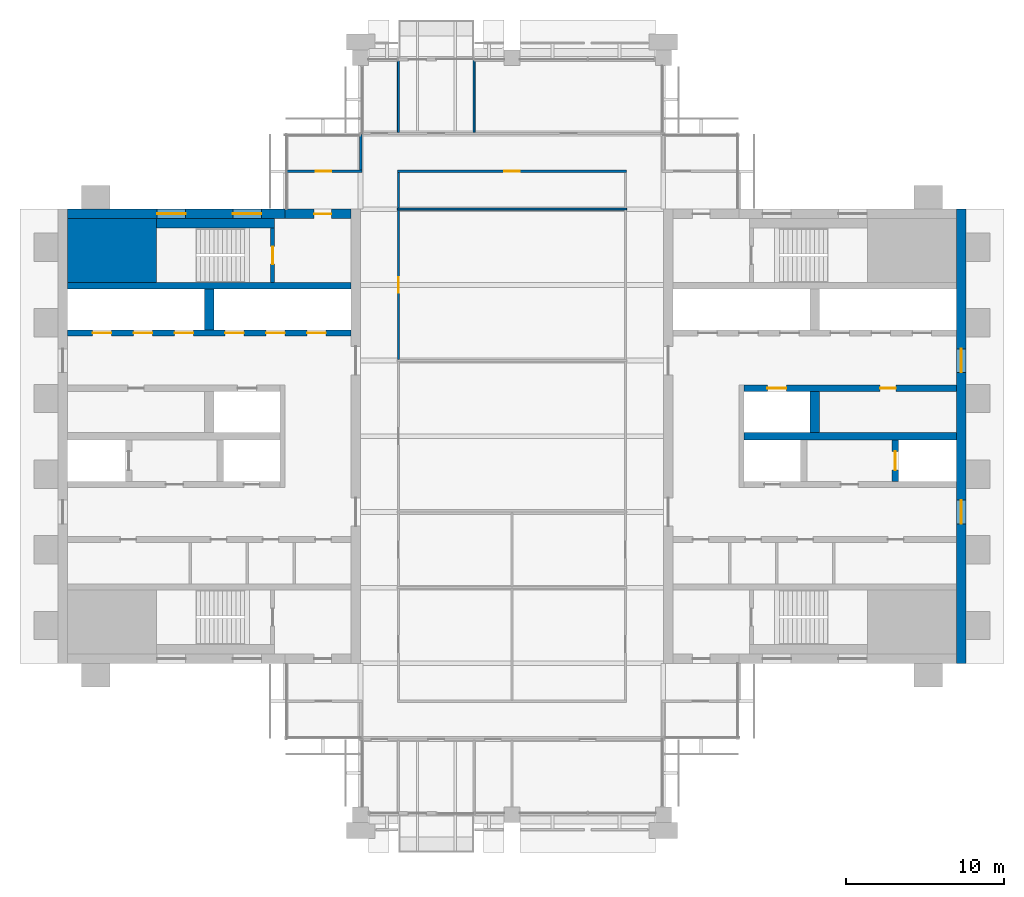
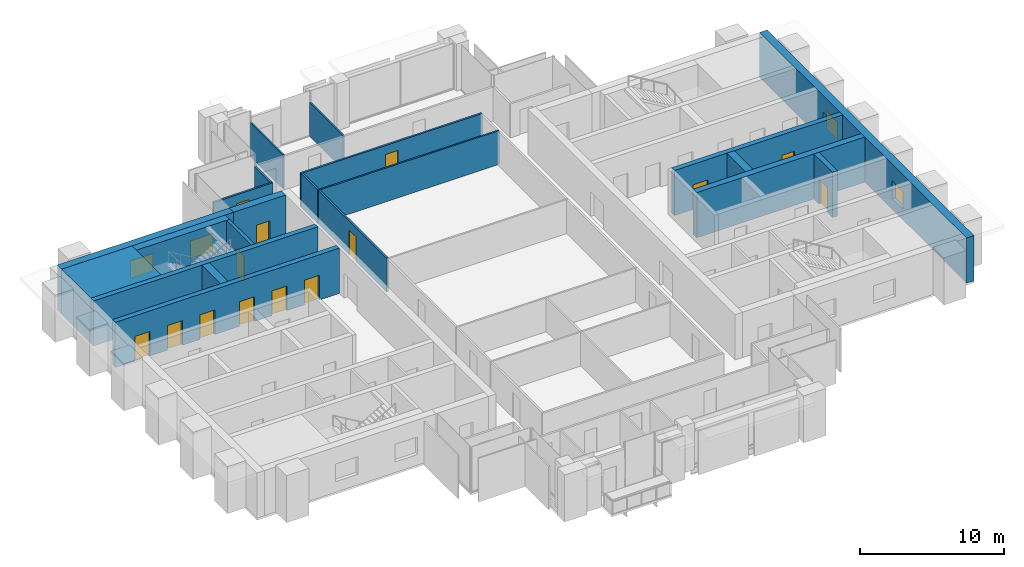
# One storey, part 10 of 13: 21 walls, 14 doors, 4 windows, 18 openings.
"""IFC4 building model written with IfcOpenShell, lengths in metres."""

from ifc_helpers import new_model, si_unit, direction, frame, frame_2d, origin, place, context, subcontext, project, spatial, rectangle, extrude, material, layer, layer_set, type_object, element, fill, save


model = new_model("IFC4")

# Units and contexts
model_context = context("Model", 3, precision=1e-05, world=origin(), true_north=direction((0.0, 1.0)))
body_context = subcontext(model_context, "Body", "Model", "MODEL_VIEW")
ifc_project = project(units=[si_unit("LENGTHUNIT", "METRE"), si_unit("AREAUNIT", "SQUARE_METRE"), si_unit("VOLUMEUNIT", "CUBIC_METRE"), si_unit("PLANEANGLEUNIT", "RADIAN"), si_unit("MASSUNIT", "GRAM", prefix="KILO")], contexts=[model_context])

# Site, building, storey
site_placement = place(None, origin())
site = spatial("IfcSite", under=ifc_project, at=site_placement, CompositionType="ELEMENT")
building_placement = place(site_placement, origin())
building = spatial("IfcBuilding", under=site, at=building_placement, Name="Baori Bourse Tower", CompositionType="ELEMENT")
storey_placement = place(building_placement, frame((0.0, 0.0, 338.300048828125)))
storey = spatial("IfcBuildingStorey", under=building, at=storey_placement, Name="L75", CompositionType="ELEMENT", Elevation=338.300048828125)

# Wall
ifc_material_1 = material(Name="Concrete f'c 40 MPa", Category="concrete")
wall_type_1 = type_object("IfcWallType", Name="Core corner block f'c 40", PredefinedType="SHEAR", material=ifc_material_1)
wall_1_placement = place(storey_placement, frame((0.60009765625, 35.77490234375, 0.0), z_axis=(0.0, 0.0, 1.0), x_axis=(1.0, 0.0, 0.0)))
element("IfcWall", 1, at=wall_1_placement, inside=storey, type_object=wall_type_1, Name="Core wall W23", PredefinedType="SHEAR", context=body_context, shape_type="SweptSolid", body=[
    extrude(rectangle(XDim=5.64990234375, YDim=4.050048828125, at=frame_2d((2.824951171875, 0.0))), origin(), (0.0, 0.0, 1.0), 3.83984375),
])

# Wall, openings, windows
ifc_material_2 = material(Name="Concrete f'c 40 MPa", Category="concrete")
ifc_layer_1 = layer(ifc_material_2, 0.60009765625)
ifc_layer_set_1 = layer_set([ifc_layer_1], Name="Core wall 600 f'c 40")
wall_type_2 = type_object("IfcWallType", Name="Core wall 600 f'c 40", PredefinedType="SHEAR", material=ifc_layer_set_1)
wall_2_placement = place(storey_placement, frame((0.60009765625, 38.10009765625, 0.0), z_axis=(0.0, 0.0, 1.0), x_axis=(1.0, 0.0, 0.0)))
wall_2 = element("IfcWall", 2, at=wall_2_placement, inside=storey, type_object=wall_type_2, Name="Core wall W26", PredefinedType="SHEAR", context=body_context, shape_type="SweptSolid", body=[
    extrude(rectangle(XDim=13.7998046875, YDim=0.60009765625, at=frame_2d((6.89990234375, 0.0))), origin(), (0.0, 0.0, 1.0), 3.83984375),
])
opening_1_placement = place(wall_2_placement, frame((5.699951171875, 0.0, 0.89990234375)))
opening_1 = element("IfcOpeningElement", 3, at=opening_1_placement, cuts=wall_2, Name="Opening L75-KW105", PredefinedType="OPENING", context=body_context, shape_type="SweptSolid", body=[
    extrude(rectangle(XDim=1.800048828125, YDim=1.5, at=frame_2d((0.89990234375, 0.75))), frame((0.0, 0.31005859375, 0.0), z_axis=(0.0, -1.0, 0.0), x_axis=(1.0, 0.0, 0.0)), (0.0, 0.0, 1.0), 0.6201171875),
])
opening_2_placement = place(wall_2_placement, frame((10.5, 0.0, 0.89990234375)))
opening_2 = element("IfcOpeningElement", 4, at=opening_2_placement, cuts=wall_2, Name="Opening L75-KW106", PredefinedType="OPENING", context=body_context, shape_type="SweptSolid", body=[
    extrude(rectangle(XDim=1.800048828125, YDim=1.5, at=frame_2d((0.89990234375, 0.75))), frame((0.0, 0.31005859375, 0.0), z_axis=(0.0, -1.0, 0.0), x_axis=(1.0, 0.0, 0.0)), (0.0, 0.0, 1.0), 0.6201171875),
])
ifc_material_3 = material(Name="Pale anodised aluminium", Category="aluminium")
window_type_1 = type_object("IfcWindowType", Name="Stair window 1800 x 1500", PartitioningType="SINGLE_PANEL", PredefinedType="WINDOW", material=ifc_material_3)
window_1_placement = place(opening_1_placement, origin())
window_1 = element("IfcWindow", 5, at=window_1_placement, inside=storey, type_object=window_type_1, Name="Stair window W L75 5", OverallHeight=1.5, OverallWidth=1.800048828125, PartitioningType="SINGLE_PANEL", PredefinedType="WINDOW", context=body_context, shape_type="SweptSolid", body=[
    extrude(rectangle(XDim=1.800048828125, YDim=1.5, at=frame_2d((0.89990234375, 0.75))), frame((0.0, 0.030029296875, 0.0), z_axis=(0.0, -1.0, 0.0), x_axis=(1.0, 0.0, 0.0)), (0.0, 0.0, 1.0), 0.06005859375),
])
fill(opening_1, window_1)
window_2_placement = place(opening_2_placement, origin())
window_2 = element("IfcWindow", 6, at=window_2_placement, inside=storey, type_object=window_type_1, Name="Stair window W L75 6", OverallHeight=1.5, OverallWidth=1.800048828125, PartitioningType="SINGLE_PANEL", PredefinedType="WINDOW", context=body_context, shape_type="SweptSolid", body=[
    extrude(rectangle(XDim=1.800048828125, YDim=1.5, at=frame_2d((0.89990234375, 0.75))), frame((0.0, 0.030029296875, 0.0), z_axis=(0.0, -1.0, 0.0), x_axis=(1.0, 0.0, 0.0)), (0.0, 0.0, 1.0), 0.06005859375),
])
fill(opening_2, window_2)

# Wall, opening, door
wall_3_placement = place(storey_placement, frame((14.39990234375, 38.10009765625, 0.0), z_axis=(0.0, 0.0, 1.0), x_axis=(1.0, 0.0, 0.0)))
wall_3 = element("IfcWall", 7, at=wall_3_placement, inside=storey, type_object=wall_type_2, Name="Core wall W27", PredefinedType="SHEAR", context=body_context, shape_type="SweptSolid", body=[
    extrude(rectangle(XDim=4.2001953125, YDim=0.60009765625, at=frame_2d((2.10009765625, 0.0))), origin(), (0.0, 0.0, 1.0), 3.83984375),
])
opening_3_placement = place(wall_3_placement, frame((1.85009765625, 0.0, 0.0)))
opening_3 = element("IfcOpeningElement", 8, at=opening_3_placement, cuts=wall_3, Name="Opening L75-D104", PredefinedType="OPENING", context=body_context, shape_type="SweptSolid", body=[
    extrude(rectangle(XDim=1.10009765625, YDim=2.10009765625, at=frame_2d((0.550048828125, 1.050048828125))), frame((0.0, 0.31005859375, 0.0), z_axis=(0.0, -1.0, 0.0), x_axis=(1.0, 0.0, 0.0)), (0.0, 0.0, 1.0), 0.6201171875),
])
ifc_material_4 = material(Name="Painted steel door", Category="steel")
door_type_1 = type_object("IfcDoorType", Name="Stair door 1100", OperationType="SINGLE_SWING_LEFT", PredefinedType="DOOR", material=ifc_material_4)
door_1_placement = place(opening_3_placement, origin())
door_1 = element("IfcDoor", 9, at=door_1_placement, inside=storey, type_object=door_type_1, Name="Stair vestibule door B W L75", OperationType="SINGLE_SWING_LEFT", OverallHeight=2.10009765625, OverallWidth=1.10009765625, PredefinedType="DOOR", context=body_context, shape_type="SweptSolid", body=[
    extrude(rectangle(XDim=1.10009765625, YDim=2.10009765625, at=frame_2d((0.550048828125, 1.050048828125))), frame((0.0, 0.02490234375, 0.0), z_axis=(0.0, -1.0, 0.0), x_axis=(1.0, 0.0, 0.0)), (0.0, 0.0, 1.0), 0.050048828125),
])
fill(opening_3, door_1)

# Wall, openings, windows
wall_4_placement = place(storey_placement, frame((57.300048828125, 38.39990234375, 0.0), z_axis=(0.0, 0.0, 1.0), x_axis=(0.0, -1.0, 0.0)))
wall_4 = element("IfcWall", 10, at=wall_4_placement, inside=storey, type_object=wall_type_2, Name="Core wall E01", PredefinedType="SHEAR", context=body_context, shape_type="SweptSolid", body=[
    extrude(rectangle(XDim=28.7998046875, YDim=0.60009765625, at=frame_2d((14.39990234375, 0.0))), origin(), (0.0, 0.0, 1.0), 3.83984375),
])
opening_4_placement = place(wall_4_placement, frame((18.449951171875, 0.0, 0.89990234375)))
opening_4 = element("IfcOpeningElement", 11, at=opening_4_placement, cuts=wall_4, Name="Opening L75-KW201", PredefinedType="OPENING", context=body_context, shape_type="SweptSolid", body=[
    extrude(rectangle(XDim=1.5, YDim=1.5, at=frame_2d((0.75, 0.75))), frame((0.0, 0.31005859375, 0.0), z_axis=(0.0, -1.0, 0.0), x_axis=(1.0, 0.0, 0.0)), (0.0, 0.0, 1.0), 0.6201171875),
])
opening_5_placement = place(wall_4_placement, frame((8.85009765625, 0.0, 0.89990234375)))
opening_5 = element("IfcOpeningElement", 12, at=opening_5_placement, cuts=wall_4, Name="Opening L75-KW202", PredefinedType="OPENING", context=body_context, shape_type="SweptSolid", body=[
    extrude(rectangle(XDim=1.5, YDim=1.5, at=frame_2d((0.75, 0.75))), frame((0.0, 0.31005859375, 0.0), z_axis=(0.0, -1.0, 0.0), x_axis=(1.0, 0.0, 0.0)), (0.0, 0.0, 1.0), 0.6201171875),
])
ifc_material_5 = material(Name="Pale anodised aluminium", Category="aluminium")
window_type_2 = type_object("IfcWindowType", Name="Lobby window 1500 x 1500", PartitioningType="SINGLE_PANEL", PredefinedType="WINDOW", material=ifc_material_5)
window_3_placement = place(opening_4_placement, origin())
window_3 = element("IfcWindow", 13, at=window_3_placement, inside=storey, type_object=window_type_2, Name="Outer wall window E L75 1", OverallHeight=1.5, OverallWidth=1.5, PartitioningType="SINGLE_PANEL", PredefinedType="WINDOW", context=body_context, shape_type="SweptSolid", body=[
    extrude(rectangle(XDim=1.5, YDim=1.5, at=frame_2d((0.75, 0.75))), frame((0.0, 0.030029296875, 0.0), z_axis=(0.0, -1.0, 0.0), x_axis=(1.0, 0.0, 0.0)), (0.0, 0.0, 1.0), 0.06005859375),
])
fill(opening_4, window_3)
window_4_placement = place(opening_5_placement, origin())
window_4 = element("IfcWindow", 14, at=window_4_placement, inside=storey, type_object=window_type_2, Name="Outer wall window E L75 2", OverallHeight=1.5, OverallWidth=1.5, PartitioningType="SINGLE_PANEL", PredefinedType="WINDOW", context=body_context, shape_type="SweptSolid", body=[
    extrude(rectangle(XDim=1.5, YDim=1.5, at=frame_2d((0.75, 0.75))), frame((0.0, 0.030029296875, 0.0), z_axis=(0.0, -1.0, 0.0), x_axis=(1.0, 0.0, 0.0)), (0.0, 0.0, 1.0), 0.06005859375),
])
fill(opening_5, window_4)

# Wall, opening, door
ifc_material_6 = material(Name="Gypsum board partition")
ifc_layer_2 = layer(ifc_material_6, 0.14990234375)
ifc_layer_set_2 = layer_set([ifc_layer_2], Name="Corridor partition 150")
wall_type_3 = type_object("IfcWallType", Name="Corridor partition 150", PredefinedType="PARTITIONING", material=ifc_layer_set_2)
wall_5_placement = place(storey_placement, frame((14.5, 40.800048828125, 0.0), z_axis=(0.0, 0.0, 1.0), x_axis=(1.0, 0.0, 0.0)))
wall_5 = element("IfcWall", 15, at=wall_5_placement, inside=storey, type_object=wall_type_3, Name="Partition", PredefinedType="PARTITIONING", context=body_context, shape_type="SweptSolid", body=[
    extrude(rectangle(XDim=4.77490234375, YDim=0.14990234375, at=frame_2d((2.387451171875, 0.0))), origin(), (0.0, 0.0, 1.0), 2.86962890625),
])
opening_6_placement = place(wall_5_placement, frame((1.85009765625, 0.0, 0.0)))
opening_6 = element("IfcOpeningElement", 16, at=opening_6_placement, cuts=wall_5, Name="Opening L75-D07", PredefinedType="OPENING", context=body_context, shape_type="SweptSolid", body=[
    extrude(rectangle(XDim=1.0, YDim=2.10009765625, at=frame_2d((0.5, 1.050048828125))), frame((0.0, 0.0849609375, 0.0), z_axis=(0.0, -1.0, 0.0), x_axis=(1.0, 0.0, 0.0)), (0.0, 0.0, 1.0), 0.169921875),
])
ifc_material_7 = material(Name="Timber door leaf", Category="wood")
door_type_2 = type_object("IfcDoorType", Name="Door 1000 x 2100", OperationType="SINGLE_SWING_LEFT", PredefinedType="DOOR", material=ifc_material_7)
door_2_placement = place(opening_6_placement, origin())
door_2 = element("IfcDoor", 17, at=door_2_placement, inside=storey, type_object=door_type_2, Name="Door", OperationType="SINGLE_SWING_RIGHT", OverallHeight=2.10009765625, OverallWidth=1.0, PredefinedType="DOOR", context=body_context, shape_type="SweptSolid", body=[
    extrude(rectangle(XDim=1.0, YDim=2.10009765625, at=frame_2d((0.5, 1.050048828125))), frame((0.0, 0.02490234375, 0.0), z_axis=(0.0, -1.0, 0.0), x_axis=(1.0, 0.0, 0.0)), (0.0, 0.0, 1.0), 0.050048828125),
])
fill(opening_6, door_2)

wall_6_placement = place(storey_placement, frame((21.52490234375, 40.800048828125, 0.0), z_axis=(0.0, 0.0, 1.0), x_axis=(1.0, 0.0, 0.0)))
wall_6 = element("IfcWall", 18, at=wall_6_placement, inside=storey, type_object=wall_type_3, Name="Partition", PredefinedType="PARTITIONING", context=body_context, shape_type="SweptSolid", body=[
    extrude(rectangle(XDim=14.550048828125, YDim=0.14990234375, at=frame_2d((7.27490234375, 0.0))), origin(), (0.0, 0.0, 1.0), 2.86962890625),
])
opening_7_placement = place(wall_6_placement, frame((6.77490234375, 0.0, 0.0)))
opening_7 = element("IfcOpeningElement", 19, at=opening_7_placement, cuts=wall_6, Name="Opening L75-D08", PredefinedType="OPENING", context=body_context, shape_type="SweptSolid", body=[
    extrude(rectangle(XDim=1.0, YDim=2.10009765625, at=frame_2d((0.5, 1.050048828125))), frame((0.0, 0.0849609375, 0.0), z_axis=(0.0, -1.0, 0.0), x_axis=(1.0, 0.0, 0.0)), (0.0, 0.0, 1.0), 0.169921875),
])
door_3_placement = place(opening_7_placement, origin())
door_3 = element("IfcDoor", 20, at=door_3_placement, inside=storey, type_object=door_type_2, Name="Door", OperationType="SINGLE_SWING_LEFT", OverallHeight=2.10009765625, OverallWidth=1.0, PredefinedType="DOOR", context=body_context, shape_type="SweptSolid", body=[
    extrude(rectangle(XDim=1.0, YDim=2.10009765625, at=frame_2d((0.5, 1.050048828125))), frame((0.0, 0.02490234375, 0.0), z_axis=(0.0, -1.0, 0.0), x_axis=(1.0, 0.0, 0.0)), (0.0, 0.0, 1.0), 0.050048828125),
])
fill(opening_7, door_3)

# Wall
wall_7_placement = place(storey_placement, frame((19.199951171875, 40.875, 0.0), z_axis=(0.0, 0.0, 1.0), x_axis=(0.0, 1.0, 0.0)))
element("IfcWall", 21, at=wall_7_placement, inside=storey, type_object=wall_type_3, Name="Partition", PredefinedType="PARTITIONING", context=body_context, shape_type="SweptSolid", body=[
    extrude(rectangle(XDim=2.25, YDim=0.14990234375, at=frame_2d((1.125, 0.0))), origin(), (0.0, 0.0, 1.0), 2.86962890625),
])

# Wall, opening, door
wall_8_placement = place(storey_placement, frame((21.60009765625, 28.862548828125, 0.0), z_axis=(0.0, 0.0, 1.0), x_axis=(0.0, 1.0, 0.0)))
wall_8 = element("IfcWall", 22, at=wall_8_placement, inside=storey, type_object=wall_type_3, Name="Partition", PredefinedType="PARTITIONING", context=body_context, shape_type="SweptSolid", body=[
    extrude(rectangle(XDim=9.474853515625, YDim=0.14990234375, at=frame_2d((4.7373046875, 0.0))), origin(), (0.0, 0.0, 1.0), 2.86962890625),
])
opening_8_placement = place(wall_8_placement, frame((4.237548828125, 0.0, 0.0)))
opening_8 = element("IfcOpeningElement", 23, at=opening_8_placement, cuts=wall_8, Name="Opening L75-D16", PredefinedType="OPENING", context=body_context, shape_type="SweptSolid", body=[
    extrude(rectangle(XDim=1.0, YDim=2.10009765625, at=frame_2d((0.5, 1.050048828125))), frame((0.0, 0.0849609375, 0.0), z_axis=(0.0, -1.0, 0.0), x_axis=(1.0, 0.0, 0.0)), (0.0, 0.0, 1.0), 0.169921875),
])
door_4_placement = place(opening_8_placement, origin())
door_4 = element("IfcDoor", 24, at=door_4_placement, inside=storey, type_object=door_type_2, Name="Door", OperationType="SINGLE_SWING_RIGHT", OverallHeight=2.10009765625, OverallWidth=1.0, PredefinedType="DOOR", context=body_context, shape_type="SweptSolid", body=[
    extrude(rectangle(XDim=1.0, YDim=2.10009765625, at=frame_2d((0.5, 1.050048828125))), frame((0.0, 0.02490234375, 0.0), z_axis=(0.0, -1.0, 0.0), x_axis=(1.0, 0.0, 0.0)), (0.0, 0.0, 1.0), 0.050048828125),
])
fill(opening_8, door_4)

# Walls
wall_9_placement = place(storey_placement, frame((21.60009765625, 38.46240234375, 0.0), z_axis=(0.0, 0.0, 1.0), x_axis=(0.0, 1.0, 0.0)))
element("IfcWall", 25, at=wall_9_placement, inside=storey, type_object=wall_type_3, Name="Partition", PredefinedType="PARTITIONING", context=body_context, shape_type="SweptSolid", body=[
    extrude(rectangle(XDim=2.2626953125, YDim=0.14990234375, at=frame_2d((1.13134765625, 0.0))), origin(), (0.0, 0.0, 1.0), 2.86962890625),
])
ifc_material_8 = material(Name="Gypsum board partition")
ifc_layer_3 = layer(ifc_material_8, 0.125)
ifc_layer_set_3 = layer_set([ifc_layer_3], Name="Partition 125")
wall_type_4 = type_object("IfcWallType", Name="Partition 125", PredefinedType="PARTITIONING", material=ifc_layer_set_3)
wall_10_placement = place(storey_placement, frame((21.52490234375, 38.39990234375, 0.0), z_axis=(0.0, 0.0, 1.0), x_axis=(1.0, 0.0, 0.0)))
element("IfcWall", 26, at=wall_10_placement, inside=storey, type_object=wall_type_4, Name="Partition", PredefinedType="PARTITIONING", context=body_context, shape_type="SweptSolid", body=[
    extrude(rectangle(XDim=14.550048828125, YDim=0.125, at=frame_2d((7.27490234375, 0.0))), origin(), (0.0, 0.0, 1.0), 2.86962890625),
])
for number, where, z_axis, x_axis, name in (
    (27, (21.60009765625, 43.27490234375, 0.0), (0.0, 0.0, 1.0), (0.0, 1.0, 0.0), "Partition"),
    (28, (26.39990234375, 43.27490234375, 0.0), (0.0, 0.0, 1.0), (0.0, 1.0, 0.0), "Partition"),
):
    element("IfcWall", number, at=place(storey_placement, frame(where, z_axis=z_axis, x_axis=x_axis)), inside=storey, type_object=wall_type_4, Name=name, PredefinedType="PARTITIONING", context=body_context, shape_type="SweptSolid", body=[
        extrude(rectangle(XDim=4.625, YDim=0.125, at=frame_2d((2.3125, 0.0))), origin(), (0.0, 0.0, 1.0), 2.86962890625),
    ])

# Wall, opening, door
ifc_material_9 = material(Name="Concrete f'c 40 MPa", Category="concrete")
ifc_layer_4 = layer(ifc_material_9, 0.25)
ifc_layer_set_4 = layer_set([ifc_layer_4], Name="Shaft wall 250 f'c 40")
wall_type_5 = type_object("IfcWallType", Name="Shaft wall 250 f'c 40", PredefinedType="SHEAR", material=ifc_layer_set_4)
wall_11_placement = place(storey_placement, frame((13.625, 33.75, 0.0), z_axis=(0.0, 0.0, 1.0), x_axis=(0.0, 1.0, 0.0)))
wall_11 = element("IfcWall", 29, at=wall_11_placement, inside=storey, type_object=wall_type_5, Name="Core wall W24", PredefinedType="SHEAR", context=body_context, shape_type="SweptSolid", body=[
    extrude(rectangle(XDim=3.449951171875, YDim=0.25, at=frame_2d((1.72509765625, 0.0))), origin(), (0.0, 0.0, 1.0), 3.83984375),
])
opening_9_placement = place(wall_11_placement, frame((1.175048828125, 0.0, 0.0)))
opening_9 = element("IfcOpeningElement", 30, at=opening_9_placement, cuts=wall_11, Name="Opening L75-D103", PredefinedType="OPENING", context=body_context, shape_type="SweptSolid", body=[
    extrude(rectangle(XDim=1.10009765625, YDim=2.10009765625, at=frame_2d((0.550048828125, 1.050048828125))), frame((0.0, 0.135009765625, 0.0), z_axis=(0.0, -1.0, 0.0), x_axis=(1.0, 0.0, 0.0)), (0.0, 0.0, 1.0), 0.27001953125),
])
door_5_placement = place(opening_9_placement, origin())
door_5 = element("IfcDoor", 31, at=door_5_placement, inside=storey, type_object=door_type_1, Name="Stair door B W L75", OperationType="SINGLE_SWING_LEFT", OverallHeight=2.10009765625, OverallWidth=1.10009765625, PredefinedType="DOOR", context=body_context, shape_type="SweptSolid", body=[
    extrude(rectangle(XDim=1.10009765625, YDim=2.10009765625, at=frame_2d((0.550048828125, 1.050048828125))), frame((0.0, 0.02490234375, 0.0), z_axis=(0.0, -1.0, 0.0), x_axis=(1.0, 0.0, 0.0)), (0.0, 0.0, 1.0), 0.050048828125),
])
fill(opening_9, door_5)

# Wall, openings, doors
ifc_material_10 = material(Name="Concrete f'c 40 MPa", Category="concrete")
ifc_layer_5 = layer(ifc_material_10, 0.39990234375)
ifc_layer_set_5 = layer_set([ifc_layer_5], Name="Shaft wall 400 f'c 40")
wall_type_6 = type_object("IfcWallType", Name="Shaft wall 400 f'c 40", PredefinedType="SHEAR", material=ifc_layer_set_5)
wall_12_placement = place(storey_placement, frame((0.60009765625, 30.550048828125, 0.0), z_axis=(0.0, 0.0, 1.0), x_axis=(1.0, 0.0, 0.0)))
wall_12 = element("IfcWall", 32, at=wall_12_placement, inside=storey, type_object=wall_type_6, Name="Core wall W20", PredefinedType="SHEAR", context=body_context, shape_type="SweptSolid", body=[
    extrude(rectangle(XDim=18.0, YDim=0.39990234375, at=frame_2d((9.0, 0.0))), origin(), (0.0, 0.0, 1.0), 3.83984375),
])
opening_10_placement = place(wall_12_placement, frame((1.60009765625, 0.0, 0.0)))
opening_10 = element("IfcOpeningElement", 33, at=opening_10_placement, cuts=wall_12, Name="Opening L75-D114", PredefinedType="OPENING", context=body_context, shape_type="SweptSolid", body=[
    extrude(rectangle(XDim=1.199951171875, YDim=2.10009765625, at=frame_2d((0.60009765625, 1.050048828125))), frame((0.0, 0.2099609375, 0.0), z_axis=(0.0, -1.0, 0.0), x_axis=(1.0, 0.0, 0.0)), (0.0, 0.0, 1.0), 0.419921875),
])
opening_11_placement = place(wall_12_placement, frame((4.199951171875, 0.0, 0.0)))
opening_11 = element("IfcOpeningElement", 34, at=opening_11_placement, cuts=wall_12, Name="Opening L75-D115", PredefinedType="OPENING", context=body_context, shape_type="SweptSolid", body=[
    extrude(rectangle(XDim=1.199951171875, YDim=2.10009765625, at=frame_2d((0.60009765625, 1.050048828125))), frame((0.0, 0.2099609375, 0.0), z_axis=(0.0, -1.0, 0.0), x_axis=(1.0, 0.0, 0.0)), (0.0, 0.0, 1.0), 0.419921875),
])
opening_12_placement = place(wall_12_placement, frame((6.800048828125, 0.0, 0.0)))
opening_12 = element("IfcOpeningElement", 35, at=opening_12_placement, cuts=wall_12, Name="Opening L75-D116", PredefinedType="OPENING", context=body_context, shape_type="SweptSolid", body=[
    extrude(rectangle(XDim=1.199951171875, YDim=2.10009765625, at=frame_2d((0.60009765625, 1.050048828125))), frame((0.0, 0.2099609375, 0.0), z_axis=(0.0, -1.0, 0.0), x_axis=(1.0, 0.0, 0.0)), (0.0, 0.0, 1.0), 0.419921875),
])
opening_13_placement = place(wall_12_placement, frame((10.0, 0.0, 0.0)))
opening_13 = element("IfcOpeningElement", 36, at=opening_13_placement, cuts=wall_12, Name="Opening L75-D117", PredefinedType="OPENING", context=body_context, shape_type="SweptSolid", body=[
    extrude(rectangle(XDim=1.199951171875, YDim=2.10009765625, at=frame_2d((0.60009765625, 1.050048828125))), frame((0.0, 0.2099609375, 0.0), z_axis=(0.0, -1.0, 0.0), x_axis=(1.0, 0.0, 0.0)), (0.0, 0.0, 1.0), 0.419921875),
])
opening_14_placement = place(wall_12_placement, frame((12.60009765625, 0.0, 0.0)))
opening_14 = element("IfcOpeningElement", 37, at=opening_14_placement, cuts=wall_12, Name="Opening L75-D118", PredefinedType="OPENING", context=body_context, shape_type="SweptSolid", body=[
    extrude(rectangle(XDim=1.199951171875, YDim=2.10009765625, at=frame_2d((0.60009765625, 1.050048828125))), frame((0.0, 0.2099609375, 0.0), z_axis=(0.0, -1.0, 0.0), x_axis=(1.0, 0.0, 0.0)), (0.0, 0.0, 1.0), 0.419921875),
])
opening_15_placement = place(wall_12_placement, frame((15.199951171875, 0.0, 0.0)))
opening_15 = element("IfcOpeningElement", 38, at=opening_15_placement, cuts=wall_12, Name="Opening L75-D119", PredefinedType="OPENING", context=body_context, shape_type="SweptSolid", body=[
    extrude(rectangle(XDim=1.199951171875, YDim=2.10009765625, at=frame_2d((0.60009765625, 1.050048828125))), frame((0.0, 0.2099609375, 0.0), z_axis=(0.0, -1.0, 0.0), x_axis=(1.0, 0.0, 0.0)), (0.0, 0.0, 1.0), 0.419921875),
])
ifc_material_11 = material(Name="Stainless steel door", Category="steel")
door_type_3 = type_object("IfcDoorType", Name="Lift landing door", OperationType="DOUBLE_DOOR_SLIDING", PredefinedType="DOOR", material=ifc_material_11)
door_6_placement = place(opening_10_placement, origin())
door_6 = element("IfcDoor", 39, at=door_6_placement, inside=storey, type_object=door_type_3, Name="Lift landing door HR1 W L75", OperationType="DOUBLE_DOOR_SLIDING", OverallHeight=2.10009765625, OverallWidth=1.199951171875, PredefinedType="DOOR", context=body_context, shape_type="SweptSolid", body=[
    extrude(rectangle(XDim=1.199951171875, YDim=2.10009765625, at=frame_2d((0.60009765625, 1.050048828125))), frame((0.0, 0.02490234375, 0.0), z_axis=(0.0, -1.0, 0.0), x_axis=(1.0, 0.0, 0.0)), (0.0, 0.0, 1.0), 0.050048828125),
])
fill(opening_10, door_6)
door_7_placement = place(opening_11_placement, origin())
door_7 = element("IfcDoor", 40, at=door_7_placement, inside=storey, type_object=door_type_3, Name="Lift landing door HR2 W L75", OperationType="DOUBLE_DOOR_SLIDING", OverallHeight=2.10009765625, OverallWidth=1.199951171875, PredefinedType="DOOR", context=body_context, shape_type="SweptSolid", body=[
    extrude(rectangle(XDim=1.199951171875, YDim=2.10009765625, at=frame_2d((0.60009765625, 1.050048828125))), frame((0.0, 0.02490234375, 0.0), z_axis=(0.0, -1.0, 0.0), x_axis=(1.0, 0.0, 0.0)), (0.0, 0.0, 1.0), 0.050048828125),
])
fill(opening_11, door_7)
door_8_placement = place(opening_12_placement, origin())
door_8 = element("IfcDoor", 41, at=door_8_placement, inside=storey, type_object=door_type_3, Name="Lift landing door HR3 W L75", OperationType="DOUBLE_DOOR_SLIDING", OverallHeight=2.10009765625, OverallWidth=1.199951171875, PredefinedType="DOOR", context=body_context, shape_type="SweptSolid", body=[
    extrude(rectangle(XDim=1.199951171875, YDim=2.10009765625, at=frame_2d((0.60009765625, 1.050048828125))), frame((0.0, 0.02490234375, 0.0), z_axis=(0.0, -1.0, 0.0), x_axis=(1.0, 0.0, 0.0)), (0.0, 0.0, 1.0), 0.050048828125),
])
fill(opening_12, door_8)
door_9_placement = place(opening_13_placement, origin())
door_9 = element("IfcDoor", 42, at=door_9_placement, inside=storey, type_object=door_type_3, Name="Lift landing door HR4 W L75", OperationType="DOUBLE_DOOR_SLIDING", OverallHeight=2.10009765625, OverallWidth=1.199951171875, PredefinedType="DOOR", context=body_context, shape_type="SweptSolid", body=[
    extrude(rectangle(XDim=1.199951171875, YDim=2.10009765625, at=frame_2d((0.60009765625, 1.050048828125))), frame((0.0, 0.02490234375, 0.0), z_axis=(0.0, -1.0, 0.0), x_axis=(1.0, 0.0, 0.0)), (0.0, 0.0, 1.0), 0.050048828125),
])
fill(opening_13, door_9)
door_10_placement = place(opening_14_placement, origin())
door_10 = element("IfcDoor", 43, at=door_10_placement, inside=storey, type_object=door_type_3, Name="Lift landing door HR5 W L75", OperationType="DOUBLE_DOOR_SLIDING", OverallHeight=2.10009765625, OverallWidth=1.199951171875, PredefinedType="DOOR", context=body_context, shape_type="SweptSolid", body=[
    extrude(rectangle(XDim=1.199951171875, YDim=2.10009765625, at=frame_2d((0.60009765625, 1.050048828125))), frame((0.0, 0.02490234375, 0.0), z_axis=(0.0, -1.0, 0.0), x_axis=(1.0, 0.0, 0.0)), (0.0, 0.0, 1.0), 0.050048828125),
])
fill(opening_14, door_10)
door_11_placement = place(opening_15_placement, origin())
door_11 = element("IfcDoor", 44, at=door_11_placement, inside=storey, type_object=door_type_3, Name="Lift landing door HR6 W L75", OperationType="DOUBLE_DOOR_SLIDING", OverallHeight=2.10009765625, OverallWidth=1.199951171875, PredefinedType="DOOR", context=body_context, shape_type="SweptSolid", body=[
    extrude(rectangle(XDim=1.199951171875, YDim=2.10009765625, at=frame_2d((0.60009765625, 1.050048828125))), frame((0.0, 0.02490234375, 0.0), z_axis=(0.0, -1.0, 0.0), x_axis=(1.0, 0.0, 0.0)), (0.0, 0.0, 1.0), 0.050048828125),
])
fill(opening_15, door_11)

# Wall
wall_13_placement = place(storey_placement, frame((0.60009765625, 33.550048828125, 0.0), z_axis=(0.0, 0.0, 1.0), x_axis=(1.0, 0.0, 0.0)))
element("IfcWall", 45, at=wall_13_placement, inside=storey, type_object=wall_type_6, Name="Core wall W22", PredefinedType="SHEAR", context=body_context, shape_type="SweptSolid", body=[
    extrude(rectangle(XDim=18.0, YDim=0.39990234375, at=frame_2d((9.0, 0.0))), origin(), (0.0, 0.0, 1.0), 3.83984375),
])

# Wall, opening, door
wall_14_placement = place(storey_placement, frame((53.10009765625, 21.14990234375, 0.0), z_axis=(0.0, 0.0, 1.0), x_axis=(0.0, 1.0, 0.0)))
wall_14 = element("IfcWall", 46, at=wall_14_placement, inside=storey, type_object=wall_type_6, Name="Core wall E15", PredefinedType="SHEAR", context=body_context, shape_type="SweptSolid", body=[
    extrude(rectangle(XDim=2.60009765625, YDim=0.39990234375, at=frame_2d((1.300048828125, 0.0))), origin(), (0.0, 0.0, 1.0), 3.83984375),
])
opening_16_placement = place(wall_14_placement, frame((0.699951171875, 0.0, 0.0)))
opening_16 = element("IfcOpeningElement", 47, at=opening_16_placement, cuts=wall_14, Name="Opening L75-D221", PredefinedType="OPENING", context=body_context, shape_type="SweptSolid", body=[
    extrude(rectangle(XDim=1.199951171875, YDim=2.10009765625, at=frame_2d((0.60009765625, 1.050048828125))), frame((0.0, 0.2099609375, 0.0), z_axis=(0.0, -1.0, 0.0), x_axis=(1.0, 0.0, 0.0)), (0.0, 0.0, 1.0), 0.419921875),
])
door_12_placement = place(opening_16_placement, origin())
door_12 = element("IfcDoor", 48, at=door_12_placement, inside=storey, type_object=door_type_3, Name="Lift landing door FF2 E L75", OperationType="DOUBLE_DOOR_SLIDING", OverallHeight=2.10009765625, OverallWidth=1.199951171875, PredefinedType="DOOR", context=body_context, shape_type="SweptSolid", body=[
    extrude(rectangle(XDim=1.199951171875, YDim=2.10009765625, at=frame_2d((0.60009765625, 1.050048828125))), frame((0.0, 0.02490234375, 0.0), z_axis=(0.0, -1.0, 0.0), x_axis=(1.0, 0.0, 0.0)), (0.0, 0.0, 1.0), 0.050048828125),
])
fill(opening_16, door_12)

# Wall, openings, doors
wall_15_placement = place(storey_placement, frame((43.5, 27.050048828125, 0.0), z_axis=(0.0, 0.0, 1.0), x_axis=(1.0, 0.0, 0.0)))
wall_15 = element("IfcWall", 49, at=wall_15_placement, inside=storey, type_object=wall_type_6, Name="Core wall E19", PredefinedType="SHEAR", context=body_context, shape_type="SweptSolid", body=[
    extrude(rectangle(XDim=13.5, YDim=0.39990234375, at=frame_2d((6.75, 0.0))), origin(), (0.0, 0.0, 1.0), 3.83984375),
])
opening_17_placement = place(wall_15_placement, frame((8.64990234375, 0.0, 0.0)))
opening_17 = element("IfcOpeningElement", 50, at=opening_17_placement, cuts=wall_15, Name="Opening L75-D213", PredefinedType="OPENING", context=body_context, shape_type="SweptSolid", body=[
    extrude(rectangle(XDim=1.0, YDim=2.10009765625, at=frame_2d((0.5, 1.050048828125))), frame((0.0, 0.2099609375, 0.0), z_axis=(0.0, -1.0, 0.0), x_axis=(1.0, 0.0, 0.0)), (0.0, 0.0, 1.0), 0.419921875),
])
opening_18_placement = place(wall_15_placement, frame((1.5, 0.0, 0.0)))
opening_18 = element("IfcOpeningElement", 51, at=opening_18_placement, cuts=wall_15, Name="Opening L75-D220", PredefinedType="OPENING", context=body_context, shape_type="SweptSolid", body=[
    extrude(rectangle(XDim=1.199951171875, YDim=2.10009765625, at=frame_2d((0.60009765625, 1.050048828125))), frame((0.0, 0.2099609375, 0.0), z_axis=(0.0, -1.0, 0.0), x_axis=(1.0, 0.0, 0.0)), (0.0, 0.0, 1.0), 0.419921875),
])
ifc_material_12 = material(Name="Painted steel door", Category="steel")
door_type_4 = type_object("IfcDoorType", Name="Core door 1000", OperationType="SINGLE_SWING_LEFT", PredefinedType="DOOR", material=ifc_material_12)
door_13_placement = place(opening_17_placement, origin())
door_13 = element("IfcDoor", 52, at=door_13_placement, inside=storey, type_object=door_type_4, Name="Copy Room door E L75", OperationType="SINGLE_SWING_LEFT", OverallHeight=2.10009765625, OverallWidth=1.0, PredefinedType="DOOR", context=body_context, shape_type="SweptSolid", body=[
    extrude(rectangle(XDim=1.0, YDim=2.10009765625, at=frame_2d((0.5, 1.050048828125))), frame((0.0, 0.02490234375, 0.0), z_axis=(0.0, -1.0, 0.0), x_axis=(1.0, 0.0, 0.0)), (0.0, 0.0, 1.0), 0.050048828125),
])
fill(opening_17, door_13)
door_14_placement = place(opening_18_placement, origin())
door_14 = element("IfcDoor", 53, at=door_14_placement, inside=storey, type_object=door_type_3, Name="Lift landing door SV1 E L75", OperationType="DOUBLE_DOOR_SLIDING", OverallHeight=2.10009765625, OverallWidth=1.199951171875, PredefinedType="DOOR", context=body_context, shape_type="SweptSolid", body=[
    extrude(rectangle(XDim=1.199951171875, YDim=2.10009765625, at=frame_2d((0.60009765625, 1.050048828125))), frame((0.0, 0.02490234375, 0.0), z_axis=(0.0, -1.0, 0.0), x_axis=(1.0, 0.0, 0.0)), (0.0, 0.0, 1.0), 0.050048828125),
])
fill(opening_18, door_14)

# Walls
ifc_material_13 = material(Name="Concrete f'c 40 MPa", Category="concrete")
ifc_layer_6 = layer(ifc_material_13, 0.5)
ifc_layer_set_6 = layer_set([ifc_layer_6], Name="Shaft wall 500 f'c 40")
wall_type_7 = type_object("IfcWallType", Name="Shaft wall 500 f'c 40", PredefinedType="SHEAR", material=ifc_layer_set_6)
wall_16_placement = place(storey_placement, frame((43.5, 24.0, 0.0), z_axis=(0.0, 0.0, 1.0), x_axis=(1.0, 0.0, 0.0)))
element("IfcWall", 54, at=wall_16_placement, inside=storey, type_object=wall_type_7, Name="Core wall E17", PredefinedType="SHEAR", context=body_context, shape_type="SweptSolid", body=[
    extrude(rectangle(XDim=13.5, YDim=0.5, at=frame_2d((6.75, 0.0))), origin(), (0.0, 0.0, 1.0), 3.83984375),
])
ifc_material_14 = material(Name="Concrete f'c 40 MPa", Category="concrete")
ifc_layer_7 = layer(ifc_material_14, 0.60009765625)
ifc_layer_set_7 = layer_set([ifc_layer_7], Name="Shaft wall 600 f'c 40")
wall_type_8 = type_object("IfcWallType", Name="Shaft wall 600 f'c 40", PredefinedType="SHEAR", material=ifc_layer_set_7)
wall_17_placement = place(storey_placement, frame((9.60009765625, 30.75, 0.0), z_axis=(0.0, 0.0, 1.0), x_axis=(0.0, 1.0, 0.0)))
element("IfcWall", 55, at=wall_17_placement, inside=storey, type_object=wall_type_8, Name="Core wall W21", PredefinedType="SHEAR", context=body_context, shape_type="SweptSolid", body=[
    extrude(rectangle(XDim=2.60009765625, YDim=0.60009765625, at=frame_2d((1.300048828125, 0.0))), origin(), (0.0, 0.0, 1.0), 3.83984375),
])
wall_18_placement = place(storey_placement, frame((6.25, 37.5, 0.0), z_axis=(0.0, 0.0, 1.0), x_axis=(1.0, 0.0, 0.0)))
element("IfcWall", 56, at=wall_18_placement, inside=storey, type_object=wall_type_8, Name="Core wall W25", PredefinedType="SHEAR", context=body_context, shape_type="SweptSolid", body=[
    extrude(rectangle(XDim=7.5, YDim=0.60009765625, at=frame_2d((3.75, 0.0))), origin(), (0.0, 0.0, 1.0), 3.83984375),
])
wall_19_placement = place(storey_placement, frame((48.0, 24.25, 0.0), z_axis=(0.0, 0.0, 1.0), x_axis=(0.0, 1.0, 0.0)))
element("IfcWall", 57, at=wall_19_placement, inside=storey, type_object=wall_type_8, Name="Core wall E18", PredefinedType="SHEAR", context=body_context, shape_type="SweptSolid", body=[
    extrude(rectangle(XDim=2.60009765625, YDim=0.60009765625, at=frame_2d((1.300048828125, 0.0))), origin(), (0.0, 0.0, 1.0), 3.83984375),
])

save(model, "model.ifc")
